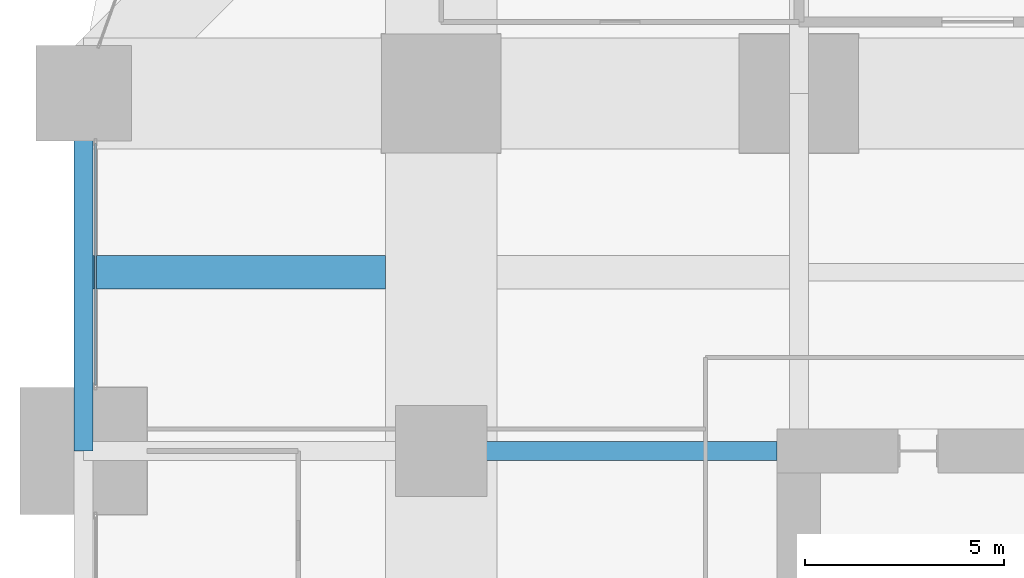
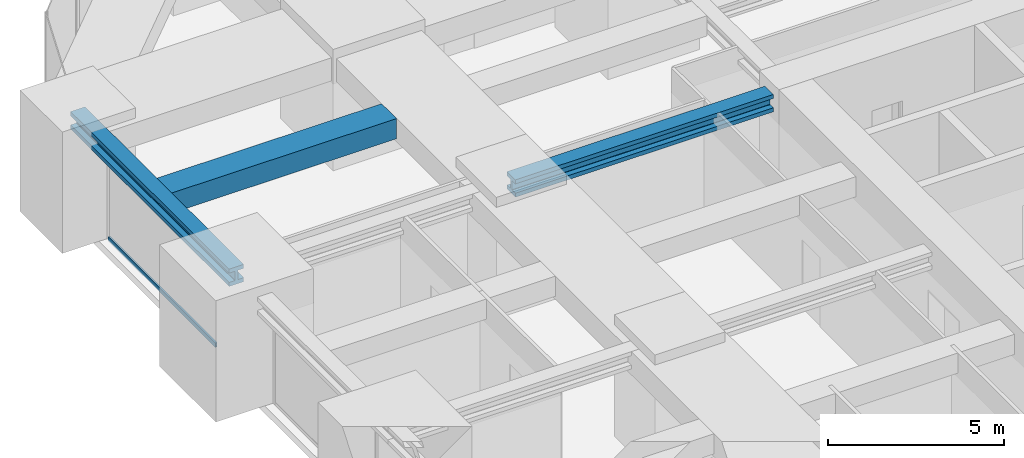
# One storey, part 23 of 42: 3 beams, 1 member, 1 element without a shape of its own.
"""IFC4 building model written with IfcOpenShell, lengths in metres."""

from ifc_helpers import new_model, si_unit, direction, frame, origin, origin_2d, place, context, subcontext, project, spatial, rectangle, hollow_rectangle, i_section, extrude, material, material_profile, profile_set, type_object, element, aggregate, save


model = new_model("IFC4")

# Units and contexts
model_context = context("Model", 3, precision=1e-05, world=origin(), true_north=direction((0.0, 1.0)))
body_context = subcontext(model_context, "Body", "Model", "MODEL_VIEW")
ifc_project = project(units=[si_unit("LENGTHUNIT", "METRE"), si_unit("AREAUNIT", "SQUARE_METRE"), si_unit("VOLUMEUNIT", "CUBIC_METRE"), si_unit("PLANEANGLEUNIT", "RADIAN"), si_unit("MASSUNIT", "GRAM", prefix="KILO")], contexts=[model_context])

# Site, building, storey
site_placement = place(None, origin())
site = spatial("IfcSite", under=ifc_project, at=site_placement, CompositionType="ELEMENT")
building_placement = place(site_placement, origin())
building = spatial("IfcBuilding", under=site, at=building_placement, Name="Zorevar Civic Tower", CompositionType="ELEMENT")
storey_placement = place(building_placement, frame((0.0, 0.0, 75.800048828125)))
storey = spatial("IfcBuildingStorey", under=building, at=storey_placement, Name="L18", CompositionType="ELEMENT", Elevation=75.800048828125)

# Beams
ifc_material_1 = material(Name="Concrete C50/60", Category="concrete")
ifc_material_profile_1 = material_profile(ifc_material_1, rectangle(XDim=0.85009765625, YDim=0.699951171875, at=origin_2d()), Name="RC 850x700")
ifc_profile_set_1 = profile_set([ifc_material_profile_1], Name="Concrete C50/60")
beam_type_1 = type_object("IfcBeamType", Name="Beam RC 850x700", PredefinedType="BEAM", material=ifc_profile_set_1)
beam_1_placement = place(storey_placement, frame((0.238037109375, 40.5, 3.5), z_axis=(1.0, 0.0, 0.0), x_axis=(0.0, 1.0, 0.0)))
element("IfcBeam", 1, at=beam_1_placement, inside=storey, type_object=beam_type_1, Name="Secondary beam L19", PredefinedType="BEAM", context=body_context, shape_type="SweptSolid", body=[
    extrude(rectangle(XDim=0.85009765625, YDim=0.699951171875, at=origin_2d()), origin(), (0.0, 0.0, 1.0), 7.362060546875),
])
ifc_material_2 = material(Name="Steel S460M (HISTAR 460)", Category="steel")
ifc_material_profile_2 = material_profile(ifc_material_2, i_section(OverallWidth=0.47607421875, OverallDepth=0.60009765625, WebThickness=0.10009765625, FlangeThickness=0.139892578125, FilletRadius=0.014892578125, at=origin_2d()), Name="HD 400x1299")
ifc_profile_set_2 = profile_set([ifc_material_profile_2], Name="Steel S460M (HISTAR 460)")
beam_type_2 = type_object("IfcBeamType", Name="Belt chord HD 400x1299", PredefinedType="BEAM", material=ifc_profile_set_2)
beam_2_placement = place(storey_placement, frame((0.0, 36.0, 3.550048828125), z_axis=(0.0, 1.0, 0.0), x_axis=(-1.0, 0.0, 0.0)))
element("IfcBeam", 2, at=beam_2_placement, inside=storey, type_object=beam_type_2, Name="Belt chord L19", PredefinedType="BEAM", context=body_context, shape_type="SweptSolid", body=[
    extrude(i_section(OverallWidth=0.47607421875, OverallDepth=0.60009765625, WebThickness=0.10009765625, FlangeThickness=0.139892578125, FilletRadius=0.014892578125, at=origin_2d()), origin(), (0.0, 0.0, 1.0), 9.0),
])

# Curtain wall, member
ifc_material_3 = material(Name="Dark grey solar-control glass in black aluminium frame", Category="aluminium")
curtain_wall_type = type_object("IfcCurtainWallType", Name="Curtain wall CW2 low zone", PredefinedType="NOTDEFINED", material=ifc_material_3)
curtain_wall_placement = place(storey_placement, origin())
curtain_wall = element("IfcCurtainWall", 3, at=curtain_wall_placement, inside=storey, type_object=curtain_wall_type, Name="CW2 L18", PredefinedType="NOTDEFINED")
ifc_material_4 = material(Name="Aluminium, black anodised", Category="aluminium")
ifc_material_profile_3 = material_profile(ifc_material_4, hollow_rectangle(XDim=0.06005859375, YDim=0.14990234375, WallThickness=0.00390625, at=origin_2d()), Name="AL 150x60x4")
ifc_profile_set_3 = profile_set([ifc_material_profile_3], Name="Aluminium, black anodised")
member_type = type_object("IfcMemberType", Name="CW2 transom AL 150x60x4", PredefinedType="USERDEFINED", material=ifc_profile_set_3)
member_placement = place(storey_placement, frame((0.300048828125, 37.659912109375, 0.030029296875), z_axis=(0.0, 1.0, 0.0), x_axis=(-1.0, 0.0, 0.0)))
member = element("IfcMember", 4, at=member_placement, type_object=member_type, Name="CW2 sill transom", ObjectType="TRANSOM", PredefinedType="USERDEFINED", context=body_context, shape_type="SweptSolid", body=[
    extrude(hollow_rectangle(XDim=0.06005859375, YDim=0.14990234375, WallThickness=0.00390625, at=origin_2d()), origin(), (0.0, 0.0, 1.0), 6.080078125),
])
aggregate(curtain_wall, [member])

# Beam
ifc_material_5 = material(Name="Steel S460M (HISTAR 460)", Category="steel")
ifc_material_profile_4 = material_profile(ifc_material_5, i_section(OverallWidth=0.47607421875, OverallDepth=0.60009765625, WebThickness=0.10009765625, FlangeThickness=0.139892578125, FilletRadius=0.014892578125, at=origin_2d()), Name="HD 400x1299")
ifc_profile_set_4 = profile_set([ifc_material_profile_4], Name="Steel S460M (HISTAR 460)")
beam_type_3 = type_object("IfcBeamType", Name="Outrigger chord HD 400x1299", PredefinedType="BEAM", material=ifc_profile_set_4)
beam_3_placement = place(storey_placement, frame((9.0, 36.0, 3.550048828125), z_axis=(1.0, 0.0, 0.0), x_axis=(0.0, 1.0, 0.0)))
element("IfcBeam", 5, at=beam_3_placement, inside=storey, type_object=beam_type_3, Name="Outrigger chord L19", PredefinedType="BEAM", context=body_context, shape_type="SweptSolid", body=[
    extrude(i_section(OverallWidth=0.47607421875, OverallDepth=0.60009765625, WebThickness=0.10009765625, FlangeThickness=0.139892578125, FilletRadius=0.014892578125, at=origin_2d()), origin(), (0.0, 0.0, 1.0), 8.449951171875),
])

save(model, "model.ifc")
